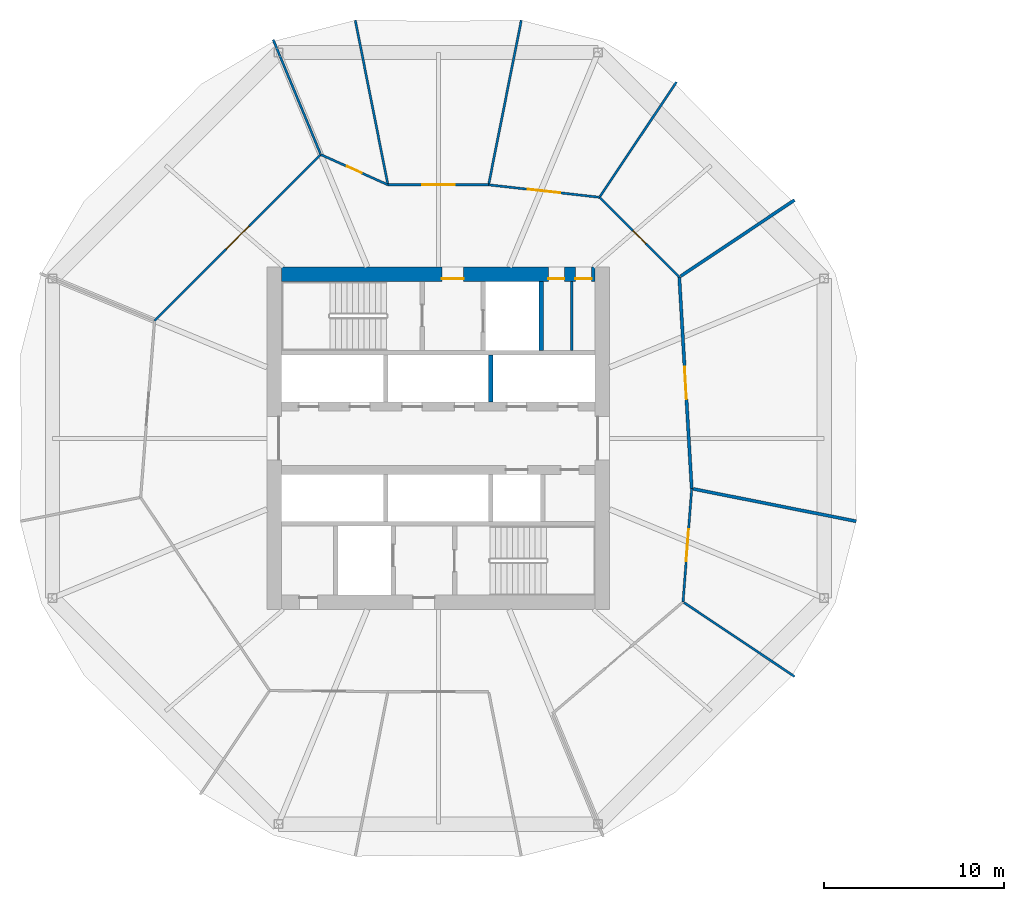
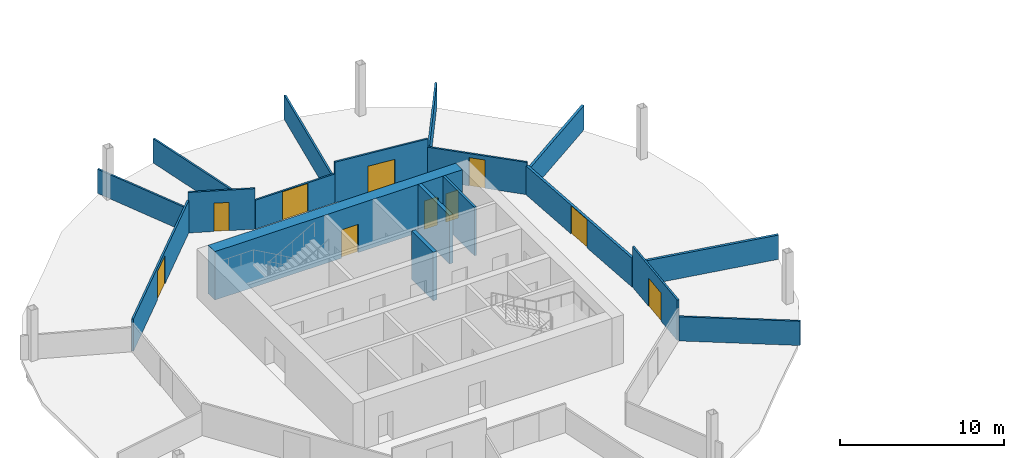
# One storey, part 5 of 9: 18 walls, 10 doors, 10 openings.
"""IFC4 building model written with IfcOpenShell, lengths in metres."""

from ifc_helpers import new_model, si_unit, direction, frame, frame_2d, origin, place, context, subcontext, project, spatial, rectangle, extrude, material, layer, layer_set, type_object, element, fill, save


model = new_model("IFC4")

# Units and contexts
model_context = context("Model", 3, precision=1e-05, world=origin(), true_north=direction((0.0, 1.0)))
body_context = subcontext(model_context, "Body", "Model", "MODEL_VIEW")
ifc_project = project(units=[si_unit("LENGTHUNIT", "METRE"), si_unit("AREAUNIT", "SQUARE_METRE"), si_unit("VOLUMEUNIT", "CUBIC_METRE"), si_unit("PLANEANGLEUNIT", "RADIAN"), si_unit("MASSUNIT", "GRAM", prefix="KILO")], contexts=[model_context])

# Site, building, storey
site_placement = place(None, origin())
site = spatial("IfcSite", under=ifc_project, at=site_placement, CompositionType="ELEMENT")
building_placement = place(site_placement, origin())
building = spatial("IfcBuilding", under=site, at=building_placement, Name="Ogive Gate Towers", CompositionType="ELEMENT")
storey_placement = place(building_placement, frame((0.0, 0.0, 111.300048828125)))
storey = spatial("IfcBuildingStorey", under=building, at=storey_placement, Name="L26", CompositionType="ELEMENT", Elevation=111.300048828125)

# Walls
ifc_material_1 = material(Name="Gypsum board acoustic partition")
ifc_layer_1 = layer(ifc_material_1, 0.175048828125)
ifc_layer_set_1 = layer_set([ifc_layer_1], Name="Acoustic partition 175")
wall_type_1 = type_object("IfcWallType", Name="Acoustic partition 175", PredefinedType="PARTITIONING", material=ifc_layer_set_1)
wall_1_placement = place(storey_placement, frame((-16.238037109375, 13.213623046875, 0.0), z_axis=(0.0, 0.0, 1.0), x_axis=(-0.831293820735, -0.55583323363, 0.0)))
element("IfcWall", 1, at=wall_1_placement, inside=storey, type_object=wall_type_1, Name="Partition T1-L26-001", PredefinedType="PARTITIONING", context=body_context, shape_type="SweptSolid", body=[
    extrude(rectangle(XDim=7.6044921875, YDim=0.175048828125, at=frame_2d((3.80224609375, 0.0))), origin(), (0.0, 0.0, 1.0), 1.800048828125),
])
wall_2_placement = place(storey_placement, frame((-12.813232421875, -4.6044921875, 0.0), z_axis=(0.0, 0.0, 1.0), x_axis=(-0.980847566731, 0.194776925838, 0.0)))
element("IfcWall", 2, at=wall_2_placement, inside=storey, type_object=wall_type_1, Name="Partition T1-L26-013", PredefinedType="PARTITIONING", context=body_context, shape_type="SweptSolid", body=[
    extrude(rectangle(XDim=9.221435546875, YDim=0.175048828125, at=frame_2d((4.61083984375, 0.0))), origin(), (0.0, 0.0, 1.0), 1.800048828125),
])

# Wall, opening, door
wall_3_placement = place(storey_placement, frame((-21.94384765625, -2.791259765625, 0.0), z_axis=(0.0, 0.0, 1.0), x_axis=(-0.058595344334, 0.998281816734, 0.0)))
wall_3 = element("IfcWall", 3, at=wall_3_placement, inside=storey, type_object=wall_type_1, Name="Partition T1-L26-016", PredefinedType="PARTITIONING", context=body_context, shape_type="SweptSolid", body=[
    extrude(rectangle(XDim=11.749755859375, YDim=0.175048828125, at=frame_2d((5.875, 0.0))), origin(), (0.0, 0.0, 1.0), 2.139892578125),
])
opening_1_placement = place(wall_3_placement, frame((4.97509765625, 0.0, 0.0)))
opening_1 = element("IfcOpeningElement", 4, at=opening_1_placement, cuts=wall_3, Name="Opening T1-L26-D03", PredefinedType="OPENING", context=body_context, shape_type="SweptSolid", body=[
    extrude(rectangle(XDim=1.800048828125, YDim=2.10009765625, at=frame_2d((0.89990234375, 1.050048828125))), frame((0.0, 0.09765625, 0.0), z_axis=(0.0, -1.0, 0.0), x_axis=(1.0, 0.0, 0.0)), (0.0, 0.0, 1.0), 0.195068359375),
])
ifc_material_2 = material(Name="Timber door", Category="wood")
door_type_1 = type_object("IfcDoorType", Name="Door pair 1800", OperationType="NOTDEFINED", PredefinedType="DOOR", material=ifc_material_2)
door_1_placement = place(opening_1_placement, origin())
door_1 = element("IfcDoor", 5, at=door_1_placement, inside=storey, type_object=door_type_1, Name="Door T1-L26-D03", OperationType="DOUBLE_DOOR_DOUBLE_SWING", OverallHeight=2.10009765625, OverallWidth=1.800048828125, PredefinedType="DOOR", context=body_context, shape_type="SweptSolid", body=[
    extrude(rectangle(XDim=1.800048828125, YDim=2.10009765625, at=frame_2d((0.89990234375, 1.050048828125))), frame((0.0, 0.02490234375, 0.0), z_axis=(0.0, -1.0, 0.0), x_axis=(1.0, 0.0, 0.0)), (0.0, 0.0, 1.0), 0.050048828125),
])
fill(opening_1, door_1)

# Wall, openings, doors
ifc_material_3 = material(Name="Concrete C60/75", Category="concrete")
ifc_layer_2 = layer(ifc_material_3, 0.800048828125)
ifc_layer_set_2 = layer_set([ifc_layer_2], Name="Core wall 800 mm")
wall_type_2 = type_object("IfcWallType", Name="Core wall 800 mm", PredefinedType="SHEAR", material=ifc_layer_set_2)
wall_4_placement = place(storey_placement, frame((-44.699951171875, 9.10009765625, 0.0), z_axis=(0.0, 0.0, 1.0), x_axis=(1.0, 0.0, 0.0)))
wall_4 = element("IfcWall", 6, at=wall_4_placement, inside=storey, type_object=wall_type_2, Name="T1 L26 Core wall 800 mm", PredefinedType="SHEAR", context=body_context, shape_type="SweptSolid", body=[
    extrude(rectangle(XDim=17.39990234375, YDim=0.800048828125, at=frame_2d((8.699951171875, 0.0))), origin(), (0.0, 0.0, 1.0), 3.599853515625),
])
opening_2_placement = place(wall_4_placement, frame((8.89990234375, 0.0, 0.0)))
opening_2 = element("IfcOpeningElement", 7, at=opening_2_placement, cuts=wall_4, Name="Opening KD-T1-L26-15", PredefinedType="OPENING", context=body_context, shape_type="SweptSolid", body=[
    extrude(rectangle(XDim=1.199951171875, YDim=2.10009765625, at=frame_2d((0.60009765625, 1.050048828125))), frame((0.0, 0.41015625, 0.0), z_axis=(0.0, -1.0, 0.0), x_axis=(1.0, 0.0, 0.0)), (0.0, 0.0, 1.0), 0.820068359375),
])
opening_3_placement = place(wall_4_placement, frame((14.800048828125, 0.0, 0.0)))
opening_3 = element("IfcOpeningElement", 8, at=opening_3_placement, cuts=wall_4, Name="Opening KD-T1-L26-17", PredefinedType="OPENING", context=body_context, shape_type="SweptSolid", body=[
    extrude(rectangle(XDim=0.89990234375, YDim=2.10009765625, at=frame_2d((0.449951171875, 1.050048828125))), frame((0.0, 0.41015625, 0.0), z_axis=(0.0, -1.0, 0.0), x_axis=(1.0, 0.0, 0.0)), (0.0, 0.0, 1.0), 0.820068359375),
])
opening_4_placement = place(wall_4_placement, frame((16.300048828125, 0.0, 0.0)))
opening_4 = element("IfcOpeningElement", 9, at=opening_4_placement, cuts=wall_4, Name="Opening KD-T1-L26-18", PredefinedType="OPENING", context=body_context, shape_type="SweptSolid", body=[
    extrude(rectangle(XDim=0.89990234375, YDim=2.10009765625, at=frame_2d((0.449951171875, 1.050048828125))), frame((0.0, 0.41015625, 0.0), z_axis=(0.0, -1.0, 0.0), x_axis=(1.0, 0.0, 0.0)), (0.0, 0.0, 1.0), 0.820068359375),
])
door_type_2 = type_object("IfcDoorType", Name="Core WC door 900 x 2100", OperationType="NOTDEFINED", PredefinedType="DOOR", material=ifc_material_2)
door_2_placement = place(opening_3_placement, origin())
door_2 = element("IfcDoor", 10, at=door_2_placement, inside=storey, type_object=door_type_2, Name="T1 L26 Core door", OperationType="SINGLE_SWING_RIGHT", OverallHeight=2.10009765625, OverallWidth=0.89990234375, PredefinedType="DOOR", context=body_context, shape_type="SweptSolid", body=[
    extrude(rectangle(XDim=0.89990234375, YDim=2.10009765625, at=frame_2d((0.449951171875, 1.050048828125))), frame((0.0, -0.22509765625, 0.0), z_axis=(0.0, -1.0, 0.0), x_axis=(1.0, 0.0, 0.0)), (0.0, 0.0, 1.0), 0.050048828125),
])
fill(opening_3, door_2)
door_3_placement = place(opening_4_placement, origin())
door_3 = element("IfcDoor", 11, at=door_3_placement, inside=storey, type_object=door_type_2, Name="T1 L26 Core door", OperationType="SINGLE_SWING_LEFT", OverallHeight=2.10009765625, OverallWidth=0.89990234375, PredefinedType="DOOR", context=body_context, shape_type="SweptSolid", body=[
    extrude(rectangle(XDim=0.89990234375, YDim=2.10009765625, at=frame_2d((0.449951171875, 1.050048828125))), frame((0.0, -0.22509765625, 0.0), z_axis=(0.0, -1.0, 0.0), x_axis=(1.0, 0.0, 0.0)), (0.0, 0.0, 1.0), 0.050048828125),
])
fill(opening_4, door_3)
ifc_material_4 = material(Name="Steel fire door", Category="steel")
door_type_3 = type_object("IfcDoorType", Name="Core door FD60S 1200 x 2100", OperationType="NOTDEFINED", PredefinedType="DOOR", material=ifc_material_4)
door_4_placement = place(opening_2_placement, origin())
door_4 = element("IfcDoor", 12, at=door_4_placement, inside=storey, type_object=door_type_3, Name="T1 L26 Fire-fighting lobby door", OperationType="SINGLE_SWING_RIGHT", OverallHeight=2.10009765625, OverallWidth=1.199951171875, PredefinedType="DOOR", context=body_context, shape_type="SweptSolid", body=[
    extrude(rectangle(XDim=1.199951171875, YDim=2.10009765625, at=frame_2d((0.60009765625, 1.050048828125))), frame((0.0, -0.22509765625, 0.0), z_axis=(0.0, -1.0, 0.0), x_axis=(1.0, 0.0, 0.0)), (0.0, 0.0, 1.0), 0.050048828125),
])
fill(opening_2, door_4)

# Walls
ifc_material_5 = material(Name="Gypsum board partition")
ifc_layer_3 = layer(ifc_material_5, 0.125)
ifc_layer_set_3 = layer_set([ifc_layer_3], Name="Partition 125")
wall_type_3 = type_object("IfcWallType", Name="Partition 125", PredefinedType="PARTITIONING", material=ifc_layer_set_3)
wall_5_placement = place(storey_placement, frame((-22.786376953125, 19.761962890625, 0.0), z_axis=(0.0, 0.0, 1.0), x_axis=(-0.555836902547, -0.831291367552, 0.0)))
element("IfcWall", 13, at=wall_5_placement, inside=storey, type_object=wall_type_3, Name="Partition T1-L26-002", PredefinedType="PARTITIONING", context=body_context, shape_type="SweptSolid", body=[
    extrude(rectangle(XDim=7.62939453125, YDim=0.125, at=frame_2d((3.814697265625, 0.0))), origin(), (0.0, 0.0, 1.0), 1.800048828125),
])
for number, where, z_axis, x_axis, name in (
    (14, (-31.3955078125, 23.186767578125, 0.0), (0.0, 0.0, 1.0), (-0.194780532368, -0.980846850538, 0.0), "Partition T1-L26-003"),
    (15, (-40.6044921875, 23.186767578125, 0.0), (0.0, 0.0, 1.0), (0.194780532368, -0.980846850538, 0.0), "Partition T1-L26-004"),
):
    element("IfcWall", number, at=place(storey_placement, frame(where, z_axis=z_axis, x_axis=x_axis)), inside=storey, type_object=wall_type_3, Name=name, PredefinedType="PARTITIONING", context=body_context, shape_type="SweptSolid", body=[
        extrude(rectangle(XDim=9.246337890625, YDim=0.125, at=frame_2d((4.623046875, 0.0))), origin(), (0.0, 0.0, 1.0), 1.800048828125),
    ])
wall_6_placement = place(storey_placement, frame((-45.155517578125, 22.103515625, 0.0), z_axis=(0.0, 0.0, 1.0), x_axis=(0.382657966464, -0.923890080422, 0.0)))
element("IfcWall", 16, at=wall_6_placement, inside=storey, type_object=wall_type_3, Name="Partition T1-L26-005", PredefinedType="PARTITIONING", context=body_context, shape_type="SweptSolid", body=[
    extrude(rectangle(XDim=6.831298828125, YDim=0.125, at=frame_2d((3.41552734375, 0.0))), origin(), (0.0, 0.0, 1.0), 1.800048828125),
])
wall_7_placement = place(storey_placement, frame((-16.238037109375, -13.213623046875, 0.0), z_axis=(0.0, 0.0, 1.0), x_axis=(-0.831291139234, 0.555837244012, 0.0)))
element("IfcWall", 17, at=wall_7_placement, inside=storey, type_object=wall_type_3, Name="Partition T1-L26-012", PredefinedType="PARTITIONING", context=body_context, shape_type="SweptSolid", body=[
    extrude(rectangle(XDim=7.37939453125, YDim=0.125, at=frame_2d((3.689697265625, 0.0))), origin(), (0.0, 0.0, 1.0), 1.800048828125),
])

# Wall, opening, door
wall_8_placement = place(storey_placement, frame((-22.424560546875, -9.0771484375, 0.0), z_axis=(0.0, 0.0, 1.0), x_axis=(0.076252276713, 0.997088556898, 0.0)))
wall_8 = element("IfcWall", 18, at=wall_8_placement, inside=storey, type_object=wall_type_3, Name="Partition T1-L26-015", PredefinedType="PARTITIONING", context=body_context, shape_type="SweptSolid", body=[
    extrude(rectangle(XDim=6.30419921875, YDim=0.125, at=frame_2d((3.152099609375, 0.0))), origin(), (0.0, 0.0, 1.0), 3.010009765625),
])
opening_5_placement = place(wall_8_placement, frame((2.251953125, 0.0, 0.0)))
opening_5 = element("IfcOpeningElement", 19, at=opening_5_placement, cuts=wall_8, Name="Opening T1-L26-D02", PredefinedType="OPENING", context=body_context, shape_type="SweptSolid", body=[
    extrude(rectangle(XDim=1.800048828125, YDim=2.10009765625, at=frame_2d((0.89990234375, 1.050048828125))), frame((0.0, 0.072509765625, 0.0), z_axis=(0.0, -1.0, 0.0), x_axis=(1.0, 0.0, 0.0)), (0.0, 0.0, 1.0), 0.14501953125),
])
door_5_placement = place(opening_5_placement, origin())
door_5 = element("IfcDoor", 20, at=door_5_placement, inside=storey, type_object=door_type_1, Name="Door T1-L26-D02", OperationType="DOUBLE_DOOR_DOUBLE_SWING", OverallHeight=2.10009765625, OverallWidth=1.800048828125, PredefinedType="DOOR", context=body_context, shape_type="SweptSolid", body=[
    extrude(rectangle(XDim=1.800048828125, YDim=2.10009765625, at=frame_2d((0.89990234375, 1.050048828125))), frame((0.0, 0.02490234375, 0.0), z_axis=(0.0, -1.0, 0.0), x_axis=(1.0, 0.0, 0.0)), (0.0, 0.0, 1.0), 0.050048828125),
])
fill(opening_5, door_5)

wall_9_placement = place(storey_placement, frame((-22.63232421875, 8.938232421875, 0.0), z_axis=(0.0, 0.0, 1.0), x_axis=(-0.707106781187, 0.707106781187, 0.0)))
wall_9 = element("IfcWall", 21, at=wall_9_placement, inside=storey, type_object=wall_type_3, Name="Partition T1-L26-017", PredefinedType="PARTITIONING", context=body_context, shape_type="SweptSolid", body=[
    extrude(rectangle(XDim=6.26416015625, YDim=0.125, at=frame_2d((3.132080078125, 0.0))), origin(), (0.0, 0.0, 1.0), 2.39990234375),
])
opening_6_placement = place(wall_9_placement, frame((2.632080078125, 0.0, 0.0)))
opening_6 = element("IfcOpeningElement", 22, at=opening_6_placement, cuts=wall_9, Name="Opening T1-L26-D04", PredefinedType="OPENING", context=body_context, shape_type="SweptSolid", body=[
    extrude(rectangle(XDim=1.0, YDim=2.10009765625, at=frame_2d((0.5, 1.050048828125))), frame((0.0, 0.072509765625, 0.0), z_axis=(0.0, -1.0, 0.0), x_axis=(1.0, 0.0, 0.0)), (0.0, 0.0, 1.0), 0.14501953125),
])
door_type_4 = type_object("IfcDoorType", Name="Door 1000", OperationType="NOTDEFINED", PredefinedType="DOOR", material=ifc_material_2)
door_6_placement = place(opening_6_placement, origin())
door_6 = element("IfcDoor", 23, at=door_6_placement, inside=storey, type_object=door_type_4, Name="Door T1-L26-D04", OperationType="SINGLE_SWING_RIGHT", OverallHeight=2.10009765625, OverallWidth=1.0, PredefinedType="DOOR", context=body_context, shape_type="SweptSolid", body=[
    extrude(rectangle(XDim=1.0, YDim=2.10009765625, at=frame_2d((0.5, 1.050048828125))), frame((0.0, 0.02490234375, 0.0), z_axis=(0.0, -1.0, 0.0), x_axis=(1.0, 0.0, 0.0)), (0.0, 0.0, 1.0), 0.050048828125),
])
fill(opening_6, door_6)

wall_10_placement = place(storey_placement, frame((-27.061767578125, 13.36767578125, 0.0), z_axis=(0.0, 0.0, 1.0), x_axis=(-0.993786117429, 0.111306571259, 0.0)))
wall_10 = element("IfcWall", 24, at=wall_10_placement, inside=storey, type_object=wall_type_3, Name="Partition T1-L26-018", PredefinedType="PARTITIONING", context=body_context, shape_type="SweptSolid", body=[
    extrude(rectangle(XDim=6.185302734375, YDim=0.125, at=frame_2d((3.0927734375, 0.0))), origin(), (0.0, 0.0, 1.0), 3.010009765625),
])
opening_7_placement = place(wall_10_placement, frame((2.193115234375, 0.0, 0.0)))
opening_7 = element("IfcOpeningElement", 25, at=opening_7_placement, cuts=wall_10, Name="Opening T1-L26-D05", PredefinedType="OPENING", context=body_context, shape_type="SweptSolid", body=[
    extrude(rectangle(XDim=1.800048828125, YDim=2.10009765625, at=frame_2d((0.89990234375, 1.050048828125))), frame((0.0, 0.072509765625, 0.0), z_axis=(0.0, -1.0, 0.0), x_axis=(1.0, 0.0, 0.0)), (0.0, 0.0, 1.0), 0.14501953125),
])
door_7_placement = place(opening_7_placement, origin())
door_7 = element("IfcDoor", 26, at=door_7_placement, inside=storey, type_object=door_type_1, Name="Door T1-L26-D05", OperationType="DOUBLE_DOOR_DOUBLE_SWING", OverallHeight=2.10009765625, OverallWidth=1.800048828125, PredefinedType="DOOR", context=body_context, shape_type="SweptSolid", body=[
    extrude(rectangle(XDim=1.800048828125, YDim=2.10009765625, at=frame_2d((0.89990234375, 1.050048828125))), frame((0.0, 0.02490234375, 0.0), z_axis=(0.0, -1.0, 0.0), x_axis=(1.0, 0.0, 0.0)), (0.0, 0.0, 1.0), 0.050048828125),
])
fill(opening_7, door_7)

wall_11_placement = place(storey_placement, frame((-33.208740234375, 14.05615234375, 0.0), z_axis=(0.0, 0.0, 1.0), x_axis=(-1.0, 0.0, 0.0)))
wall_11 = element("IfcWall", 27, at=wall_11_placement, inside=storey, type_object=wall_type_3, Name="Partition T1-L26-019", PredefinedType="PARTITIONING", context=body_context, shape_type="SweptSolid", body=[
    extrude(rectangle(XDim=5.58251953125, YDim=0.125, at=frame_2d((2.791259765625, 0.0))), origin(), (0.0, 0.0, 1.0), 2.139892578125),
])
opening_8_placement = place(wall_11_placement, frame((1.89111328125, 0.0, 0.0)))
opening_8 = element("IfcOpeningElement", 28, at=opening_8_placement, cuts=wall_11, Name="Opening T1-L26-D06", PredefinedType="OPENING", context=body_context, shape_type="SweptSolid", body=[
    extrude(rectangle(XDim=1.800048828125, YDim=2.10009765625, at=frame_2d((0.89990234375, 1.050048828125))), frame((0.0, 0.072509765625, 0.0), z_axis=(0.0, -1.0, 0.0), x_axis=(1.0, 0.0, 0.0)), (0.0, 0.0, 1.0), 0.14501953125),
])
door_8_placement = place(opening_8_placement, origin())
door_8 = element("IfcDoor", 29, at=door_8_placement, inside=storey, type_object=door_type_1, Name="Door T1-L26-D06", OperationType="DOUBLE_DOOR_DOUBLE_SWING", OverallHeight=2.10009765625, OverallWidth=1.800048828125, PredefinedType="DOOR", context=body_context, shape_type="SweptSolid", body=[
    extrude(rectangle(XDim=1.800048828125, YDim=2.10009765625, at=frame_2d((0.89990234375, 1.050048828125))), frame((0.0, 0.02490234375, 0.0), z_axis=(0.0, -1.0, 0.0), x_axis=(1.0, 0.0, 0.0)), (0.0, 0.0, 1.0), 0.050048828125),
])
fill(opening_8, door_8)

wall_12_placement = place(storey_placement, frame((-38.791259765625, 14.05615234375, 0.0), z_axis=(0.0, 0.0, 1.0), x_axis=(-0.911772784766, 0.410695007225, 0.0)))
wall_12 = element("IfcWall", 30, at=wall_12_placement, inside=storey, type_object=wall_type_3, Name="Partition T1-L26-020", PredefinedType="PARTITIONING", context=body_context, shape_type="SweptSolid", body=[
    extrude(rectangle(XDim=4.0869140625, YDim=0.125, at=frame_2d((2.04345703125, 0.0))), origin(), (0.0, 0.0, 1.0), 3.010009765625),
])
opening_9_placement = place(wall_12_placement, frame((1.593017578125, 0.0, 0.0)))
opening_9 = element("IfcOpeningElement", 31, at=opening_9_placement, cuts=wall_12, Name="Opening T1-L26-D07", PredefinedType="OPENING", context=body_context, shape_type="SweptSolid", body=[
    extrude(rectangle(XDim=0.89990234375, YDim=2.10009765625, at=frame_2d((0.449951171875, 1.050048828125))), frame((0.0, 0.072509765625, 0.0), z_axis=(0.0, -1.0, 0.0), x_axis=(1.0, 0.0, 0.0)), (0.0, 0.0, 1.0), 0.14501953125),
])
door_type_5 = type_object("IfcDoorType", Name="Door 900", OperationType="NOTDEFINED", PredefinedType="DOOR", material=ifc_material_2)
door_9_placement = place(opening_9_placement, origin())
door_9 = element("IfcDoor", 32, at=door_9_placement, inside=storey, type_object=door_type_5, Name="Door T1-L26-D07", OperationType="SINGLE_SWING_RIGHT", OverallHeight=2.10009765625, OverallWidth=0.89990234375, PredefinedType="DOOR", context=body_context, shape_type="SweptSolid", body=[
    extrude(rectangle(XDim=0.89990234375, YDim=2.10009765625, at=frame_2d((0.449951171875, 1.050048828125))), frame((0.0, 0.02490234375, 0.0), z_axis=(0.0, -1.0, 0.0), x_axis=(1.0, 0.0, 0.0)), (0.0, 0.0, 1.0), 0.050048828125),
])
fill(opening_9, door_9)

wall_13_placement = place(storey_placement, frame((-42.517578125, 15.734619140625, 0.0), z_axis=(0.0, 0.0, 1.0), x_axis=(-0.707106781187, -0.707106781187, 0.0)))
wall_13 = element("IfcWall", 33, at=wall_13_placement, inside=storey, type_object=wall_type_3, Name="Partition T1-L26-021", PredefinedType="PARTITIONING", context=body_context, shape_type="SweptSolid", body=[
    extrude(rectangle(XDim=13.034912109375, YDim=0.125, at=frame_2d((6.517578125, 0.0))), origin(), (0.0, 0.0, 1.0), 2.39990234375),
])
opening_10_placement = place(wall_13_placement, frame((5.616943359375, 0.0, 0.0)))
opening_10 = element("IfcOpeningElement", 34, at=opening_10_placement, cuts=wall_13, Name="Opening T1-L26-D08", PredefinedType="OPENING", context=body_context, shape_type="SweptSolid", body=[
    extrude(rectangle(XDim=1.800048828125, YDim=2.10009765625, at=frame_2d((0.89990234375, 1.050048828125))), frame((0.0, 0.072509765625, 0.0), z_axis=(0.0, -1.0, 0.0), x_axis=(1.0, 0.0, 0.0)), (0.0, 0.0, 1.0), 0.14501953125),
])
door_10_placement = place(opening_10_placement, origin())
door_10 = element("IfcDoor", 35, at=door_10_placement, inside=storey, type_object=door_type_1, Name="Door T1-L26-D08", OperationType="DOUBLE_DOOR_DOUBLE_SWING", OverallHeight=2.10009765625, OverallWidth=1.800048828125, PredefinedType="DOOR", context=body_context, shape_type="SweptSolid", body=[
    extrude(rectangle(XDim=1.800048828125, YDim=2.10009765625, at=frame_2d((0.89990234375, 1.050048828125))), frame((0.0, 0.02490234375, 0.0), z_axis=(0.0, -1.0, 0.0), x_axis=(1.0, 0.0, 0.0)), (0.0, 0.0, 1.0), 0.050048828125),
])
fill(opening_10, door_10)

# Walls
ifc_layer_4 = layer(ifc_material_5, 0.14990234375)
ifc_layer_set_4 = layer_set([ifc_layer_4], Name="Room partition 150 mm")
wall_type_4 = type_object("IfcWallType", Name="Room partition 150 mm", PredefinedType="PARTITIONING", material=ifc_layer_set_4)
wall_14_placement = place(storey_placement, frame((-28.60009765625, 4.875, 0.0), z_axis=(0.0, 0.0, 1.0), x_axis=(0.0, 1.0, 0.0)))
element("IfcWall", 36, at=wall_14_placement, inside=storey, type_object=wall_type_4, Name="T1 L26 Room partition 150 mm", PredefinedType="PARTITIONING", context=body_context, shape_type="SweptSolid", body=[
    extrude(rectangle(XDim=3.824951171875, YDim=0.14990234375, at=frame_2d((1.91259765625, 0.0))), origin(), (0.0, 0.0, 1.0), 3.599853515625),
])
ifc_layer_5 = layer(ifc_material_3, 0.25)
ifc_layer_set_5 = layer_set([ifc_layer_5], Name="Shaft wall 250 mm")
wall_type_5 = type_object("IfcWallType", Name="Shaft wall 250 mm", PredefinedType="SHEAR", material=ifc_layer_set_5)
wall_15_placement = place(storey_placement, frame((-33.10009765625, 2.0, 0.0), z_axis=(0.0, 0.0, 1.0), x_axis=(0.0, 1.0, 0.0)))
element("IfcWall", 37, at=wall_15_placement, inside=storey, type_object=wall_type_5, Name="T1 L26 Shaft wall 250 mm", PredefinedType="SHEAR", context=body_context, shape_type="SweptSolid", body=[
    extrude(rectangle(XDim=2.625, YDim=0.25, at=frame_2d((1.3125, 0.0))), origin(), (0.0, 0.0, 1.0), 3.599853515625),
])
wall_16_placement = place(storey_placement, frame((-30.300048828125, 4.875, 0.0), z_axis=(0.0, 0.0, 1.0), x_axis=(0.0, 1.0, 0.0)))
element("IfcWall", 38, at=wall_16_placement, inside=storey, type_object=wall_type_5, Name="T1 L26 Shaft wall 250 mm", PredefinedType="SHEAR", context=body_context, shape_type="SweptSolid", body=[
    extrude(rectangle(XDim=3.824951171875, YDim=0.25, at=frame_2d((1.91259765625, 0.0))), origin(), (0.0, 0.0, 1.0), 3.599853515625),
])

save(model, "model.ifc")
